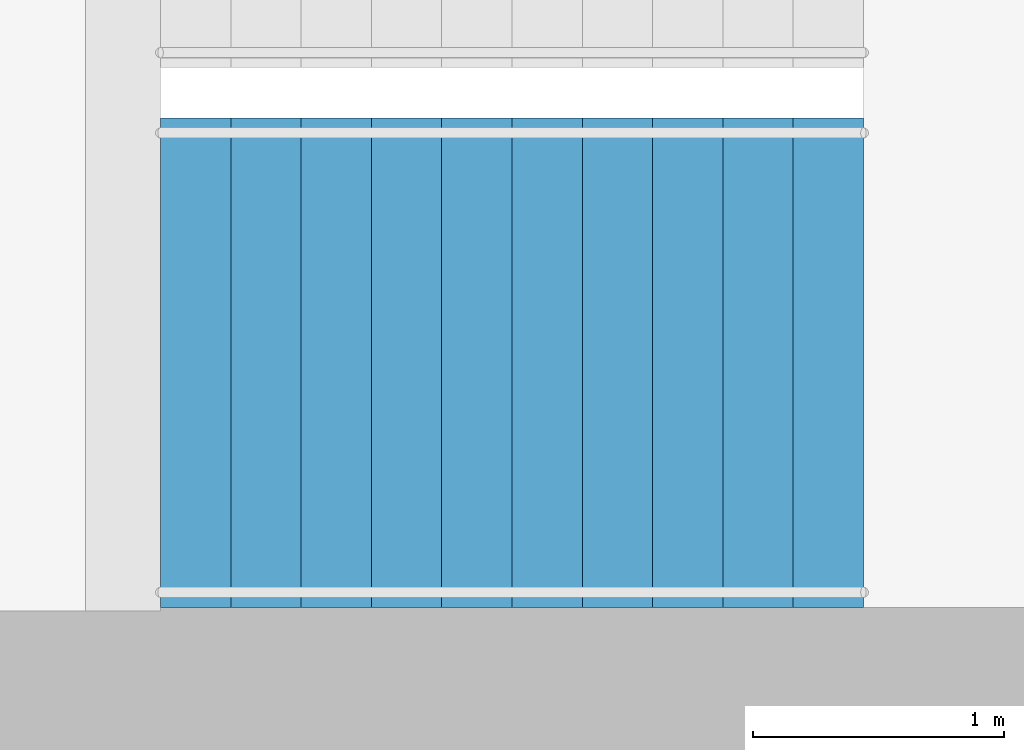
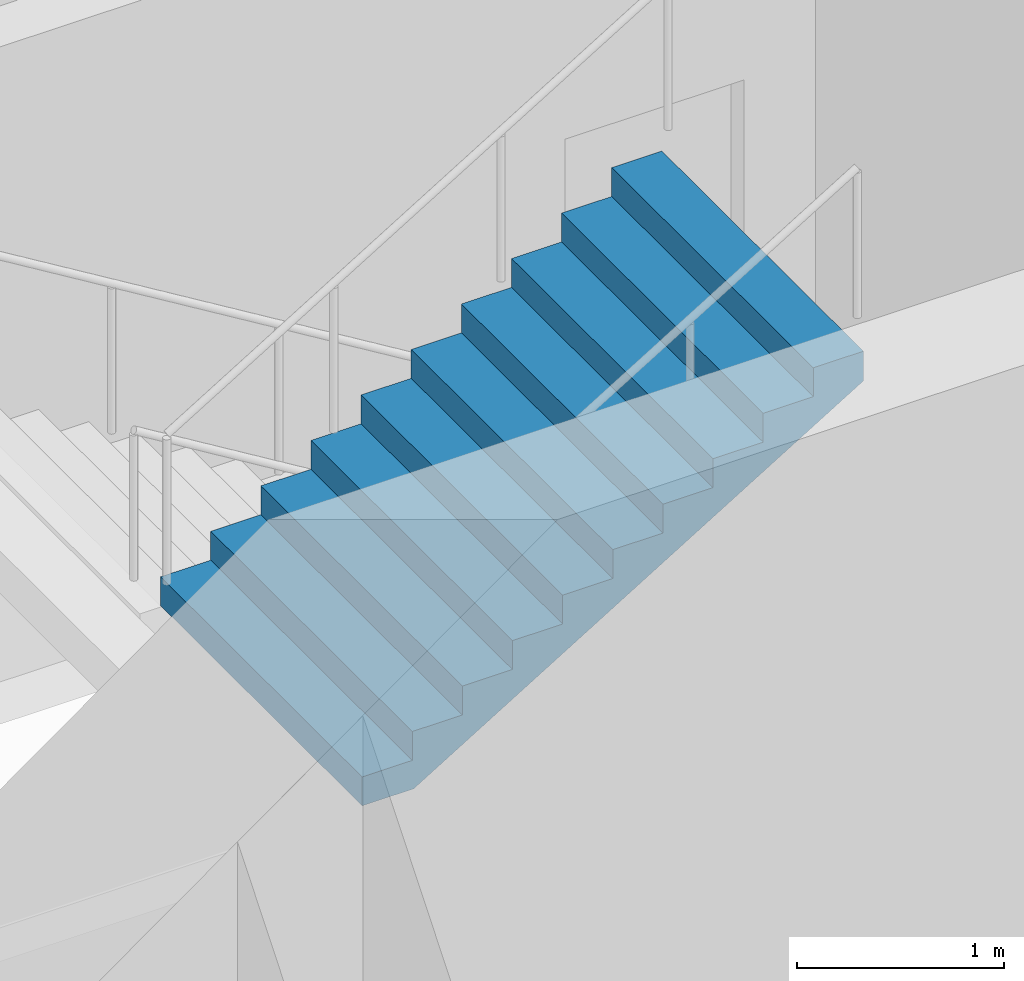
# One storey, part 22 of 24: 1 stair flight, 1 element without a shape of its own.
"""IFC4 building model written with IfcOpenShell, lengths in metres."""

from ifc_helpers import new_model, si_unit, direction, frame, origin, place, context, subcontext, project, spatial, triangles, material, type_object, element, aggregate, save


model = new_model("IFC4")

# Units and contexts
model_context = context("Model", 3, precision=1e-05, world=origin(), true_north=direction((0.0, 1.0)))
body_context = subcontext(model_context, "Body", "Model", "MODEL_VIEW")
ifc_project = project(units=[si_unit("LENGTHUNIT", "METRE"), si_unit("AREAUNIT", "SQUARE_METRE"), si_unit("VOLUMEUNIT", "CUBIC_METRE"), si_unit("PLANEANGLEUNIT", "RADIAN"), si_unit("MASSUNIT", "GRAM", prefix="KILO")], contexts=[model_context])

# Site, building, storey
site_placement = place(None, origin())
site = spatial("IfcSite", under=ifc_project, at=site_placement, CompositionType="ELEMENT")
building_placement = place(site_placement, origin())
building = spatial("IfcBuilding", under=site, at=building_placement, Name="Orbita Commons", CompositionType="ELEMENT")
storey_placement = place(building_placement, frame((0.0, 0.0, 235.300048828125)))
storey = spatial("IfcBuildingStorey", under=building, at=storey_placement, Name="L58", CompositionType="ELEMENT", Elevation=235.300048828125)

# Stair, stair flight
ifc_material_1 = material(Name="Precast concrete C40/50", Category="concrete")
stair_type = type_object("IfcStairType", Name="Exit stair S2 2 flights 11 risers 170", PredefinedType="HALF_TURN_STAIR", material=ifc_material_1)
stair_placement = place(storey_placement, origin())
stair = element("IfcStair", 1, at=stair_placement, inside=storey, type_object=stair_type, Name="Exit stair S2 L58", PredefinedType="HALF_TURN_STAIR")
ifc_material_2 = material(Name="Precast concrete C40/50", Category="concrete")
stair_flight_type = type_object("IfcStairFlightType", Name="Stair flight 11 risers 170 x 280", PredefinedType="STRAIGHT", material=ifc_material_2)
stair_flight_placement = place(storey_placement, frame((60.75, 27.125, 1.875), z_axis=(0.0, 0.0, 1.0), x_axis=(1.0, 0.0, 0.0)))
stair_flight = element("IfcStairFlight", 2, at=stair_flight_placement, type_object=stair_flight_type, Name="S2 flight 2", NumberOfRisers=11, NumberOfTreads=10, PredefinedType="STRAIGHT", RiserHeight=0.170454545, TreadLength=0.28, context=body_context, shape_type="Tessellation", body=[
    triangles([(0.0, 0.974976, 0.0), (0.0, 0.974976, 0.021307), (0.0, 0.81248, 0.021307), (0.0, 0.81248, 0.0), (0.0, 0.649984, 0.021307), (0.0, 0.649984, 0.0), (0.0, 0.487488, 0.021307), (0.0, 0.487488, 0.0), (0.0, 0.324992, 0.021307), (0.0, 0.324992, 0.0), (0.0, 0.162496, 0.021307), (0.0, 0.162496, 0.0), (0.0, 0.0, 0.021307), (0.0, 0.0, 0.0), (0.0, -0.162496, 0.021307), (0.0, -0.162496, 0.0), (0.0, -0.324992, 0.021307), (0.0, -0.324992, 0.0), (0.0, -0.487488, 0.021307), (0.0, -0.487488, 0.0), (0.0, -0.649984, 0.021307), (0.0, -0.649984, 0.0), (0.0, -0.81248, 0.021307), (0.0, -0.81248, 0.0), (0.0, -0.974976, 0.021307), (0.0, -0.974976, 0.0), (0.0, 0.974976, 0.042614), (0.0, 0.81248, 0.042614), (0.0, 0.649984, 0.042614), (0.0, 0.487488, 0.042614), (0.0, 0.324992, 0.042614), (0.0, 0.162496, 0.042614), (0.0, 0.0, 0.042614), (0.0, -0.162496, 0.042614), (0.0, -0.324992, 0.042614), (0.0, -0.487488, 0.042614), (0.0, -0.649984, 0.042614), (0.0, -0.81248, 0.042614), (0.0, -0.974976, 0.042614), (0.0, 0.974976, 0.06392), (0.0, 0.81248, 0.06392), (0.0, 0.649984, 0.06392), (0.0, 0.487488, 0.06392), (0.0, 0.324992, 0.06392), (0.0, 0.162496, 0.06392), (0.0, 0.0, 0.06392), (0.0, -0.162496, 0.06392), (0.0, -0.324992, 0.06392), (0.0, -0.487488, 0.06392), (0.0, -0.649984, 0.06392), (0.0, -0.81248, 0.06392), (0.0, -0.974976, 0.06392), (0.0, 0.974976, 0.085227), (0.0, 0.81248, 0.085227), (0.0, 0.649984, 0.085227), (0.0, 0.487488, 0.085227), (0.0, 0.324992, 0.085227), (0.0, 0.162496, 0.085227), (0.0, 0.0, 0.085227), (0.0, -0.162496, 0.085227), (0.0, -0.324992, 0.085227), (0.0, -0.487488, 0.085227), (0.0, -0.649984, 0.085227), (0.0, -0.81248, 0.085227), (0.0, -0.974976, 0.085227), (0.0, 0.974976, 0.106534), (0.0, 0.81248, 0.106534), (0.0, 0.649984, 0.106534), (0.0, 0.487488, 0.106534), (0.0, 0.324992, 0.106534), (0.0, 0.162496, 0.106534), (0.0, 0.0, 0.106534), (0.0, -0.162496, 0.106534), (0.0, -0.324992, 0.106534), (0.0, -0.487488, 0.106534), (0.0, -0.649984, 0.106534), (0.0, -0.81248, 0.106534), (0.0, -0.974976, 0.106534), (0.0, 0.974976, 0.127841), (0.0, 0.81248, 0.127841), (0.0, 0.649984, 0.127841), (0.0, 0.487488, 0.127841), (0.0, 0.324992, 0.127841), (0.0, 0.162496, 0.127841), (0.0, 0.0, 0.127841), (0.0, -0.162496, 0.127841), (0.0, -0.324992, 0.127841), (0.0, -0.487488, 0.127841), (0.0, -0.649984, 0.127841), (0.0, -0.81248, 0.127841), (0.0, -0.974976, 0.127841), (0.0, 0.974976, 0.149148), (0.0, 0.81248, 0.149148), (0.0, 0.649984, 0.149148), (0.0, 0.487488, 0.149148), (0.0, 0.324992, 0.149148), (0.0, 0.162496, 0.149148), (0.0, 0.0, 0.149148), (0.0, -0.162496, 0.149148), (0.0, -0.324992, 0.149148), (0.0, -0.487488, 0.149148), (0.0, -0.649984, 0.149148), (0.0, -0.81248, 0.149148), (0.0, -0.974976, 0.149148), (0.0, 0.974976, 0.170455), (0.0, 0.81248, 0.170455), (0.0, 0.649984, 0.170455), (0.0, 0.487488, 0.170455), (0.0, 0.324992, 0.170455), (0.0, 0.162496, 0.170455), (0.0, 0.0, 0.170455), (0.0, -0.162496, 0.170455), (0.0, -0.324992, 0.170455), (0.0, -0.487488, 0.170455), (0.0, -0.649984, 0.170455), (0.0, -0.81248, 0.170455), (0.0, -0.974976, 0.170455), (0.28, 0.974976, 0.170455), (0.28, 0.81248, 0.170455), (0.28, 0.649984, 0.170455), (0.28, 0.487488, 0.170455), (0.28, 0.324992, 0.170455), (0.28, 0.162496, 0.170455), (0.28, 0.0, 0.170455), (0.28, -0.162496, 0.170455), (0.28, -0.324992, 0.170455), (0.28, -0.487488, 0.170455), (0.28, -0.649984, 0.170455), (0.28, -0.81248, 0.170455), (0.28, -0.974976, 0.170455), (0.28, 0.974976, 0.340909), (0.28, 0.81248, 0.340909), (0.28, 0.649984, 0.340909), (0.28, 0.487488, 0.340909), (0.28, 0.324992, 0.340909), (0.28, 0.162496, 0.340909), (0.28, 0.0, 0.340909), (0.28, -0.162496, 0.340909), (0.28, -0.324992, 0.340909), (0.28, -0.487488, 0.340909), (0.28, -0.649984, 0.340909), (0.28, -0.81248, 0.340909), (0.28, -0.974976, 0.340909), (0.56, 0.974976, 0.340909), (0.56, 0.81248, 0.340909), (0.56, 0.649984, 0.340909), (0.56, 0.487488, 0.340909), (0.56, 0.324992, 0.340909), (0.56, 0.162496, 0.340909), (0.56, 0.0, 0.340909), (0.56, -0.162496, 0.340909), (0.56, -0.324992, 0.340909), (0.56, -0.487488, 0.340909), (0.56, -0.649984, 0.340909), (0.56, -0.81248, 0.340909), (0.56, -0.974976, 0.340909), (0.56, 0.974976, 0.511364), (0.56, 0.81248, 0.511364), (0.56, 0.649984, 0.511364), (0.56, 0.487488, 0.511364), (0.56, 0.324992, 0.511364), (0.56, 0.162496, 0.511364), (0.56, 0.0, 0.511364), (0.56, -0.162496, 0.511364), (0.56, -0.324992, 0.511364), (0.56, -0.487488, 0.511364), (0.56, -0.649984, 0.511364), (0.56, -0.81248, 0.511364), (0.56, -0.974976, 0.511364), (0.84, 0.974976, 0.511364), (0.84, 0.81248, 0.511364), (0.84, 0.649984, 0.511364), (0.84, 0.487488, 0.511364), (0.84, 0.324992, 0.511364), (0.84, 0.162496, 0.511364), (0.84, 0.0, 0.511364), (0.84, -0.162496, 0.511364), (0.84, -0.324992, 0.511364), (0.84, -0.487488, 0.511364), (0.84, -0.649984, 0.511364), (0.84, -0.81248, 0.511364), (0.84, -0.974976, 0.511364), (0.84, 0.974976, 0.681818), (0.84, 0.81248, 0.681818), (0.84, 0.649984, 0.681818), (0.84, 0.487488, 0.681818), (0.84, 0.324992, 0.681818), (0.84, 0.162496, 0.681818), (0.84, 0.0, 0.681818), (0.84, -0.162496, 0.681818), (0.84, -0.324992, 0.681818), (0.84, -0.487488, 0.681818), (0.84, -0.649984, 0.681818), (0.84, -0.81248, 0.681818), (0.84, -0.974976, 0.681818), (1.12, 0.974976, 0.681818), (1.12, 0.81248, 0.681818), (1.12, 0.649984, 0.681818), (1.12, 0.487488, 0.681818), (1.12, 0.324992, 0.681818), (1.12, 0.162496, 0.681818), (1.12, 0.0, 0.681818), (1.12, -0.162496, 0.681818), (1.12, -0.324992, 0.681818), (1.12, -0.487488, 0.681818), (1.12, -0.649984, 0.681818), (1.12, -0.81248, 0.681818), (1.12, -0.974976, 0.681818), (1.12, 0.974976, 0.852273), (1.12, 0.81248, 0.852273), (1.12, 0.649984, 0.852273), (1.12, 0.487488, 0.852273), (1.12, 0.324992, 0.852273), (1.12, 0.162496, 0.852273), (1.12, 0.0, 0.852273), (1.12, -0.162496, 0.852273), (1.12, -0.324992, 0.852273), (1.12, -0.487488, 0.852273), (1.12, -0.649984, 0.852273), (1.12, -0.81248, 0.852273), (1.12, -0.974976, 0.852273), (1.4, 0.974976, 0.852273), (1.4, 0.81248, 0.852273), (1.4, 0.649984, 0.852273), (1.4, 0.487488, 0.852273), (1.4, 0.324992, 0.852273), (1.4, 0.162496, 0.852273), (1.4, 0.0, 0.852273), (1.4, -0.162496, 0.852273), (1.4, -0.324992, 0.852273), (1.4, -0.487488, 0.852273), (1.4, -0.649984, 0.852273), (1.4, -0.81248, 0.852273), (1.4, -0.974976, 0.852273), (1.4, 0.974976, 1.022727), (1.4, 0.81248, 1.022727), (1.4, 0.649984, 1.022727), (1.4, 0.487488, 1.022727), (1.4, 0.324992, 1.022727), (1.4, 0.162496, 1.022727), (1.4, 0.0, 1.022727), (1.4, -0.162496, 1.022727), (1.4, -0.324992, 1.022727), (1.4, -0.487488, 1.022727), (1.4, -0.649984, 1.022727), (1.4, -0.81248, 1.022727), (1.4, -0.974976, 1.022727), (1.68, 0.974976, 1.022727), (1.68, 0.81248, 1.022727), (1.68, 0.649984, 1.022727), (1.68, 0.487488, 1.022727), (1.68, 0.324992, 1.022727), (1.68, 0.162496, 1.022727), (1.68, 0.0, 1.022727), (1.68, -0.162496, 1.022727), (1.68, -0.324992, 1.022727), (1.68, -0.487488, 1.022727), (1.68, -0.649984, 1.022727), (1.68, -0.81248, 1.022727), (1.68, -0.974976, 1.022727), (1.68, 0.974976, 1.193182), (1.68, 0.81248, 1.193182), (1.68, 0.649984, 1.193182), (1.68, 0.487488, 1.193182), (1.68, 0.324992, 1.193182), (1.68, 0.162496, 1.193182), (1.68, 0.0, 1.193182), (1.68, -0.162496, 1.193182), (1.68, -0.324992, 1.193182), (1.68, -0.487488, 1.193182), (1.68, -0.649984, 1.193182), (1.68, -0.81248, 1.193182), (1.68, -0.974976, 1.193182), (1.96, 0.974976, 1.193182), (1.96, 0.81248, 1.193182), (1.96, 0.649984, 1.193182), (1.96, 0.487488, 1.193182), (1.96, 0.324992, 1.193182), (1.96, 0.162496, 1.193182), (1.96, 0.0, 1.193182), (1.96, -0.162496, 1.193182), (1.96, -0.324992, 1.193182), (1.96, -0.487488, 1.193182), (1.96, -0.649984, 1.193182), (1.96, -0.81248, 1.193182), (1.96, -0.974976, 1.193182), (1.96, 0.974976, 1.363636), (1.96, 0.81248, 1.363636), (1.96, 0.649984, 1.363636), (1.96, 0.487488, 1.363636), (1.96, 0.324992, 1.363636), (1.96, 0.162496, 1.363636), (1.96, 0.0, 1.363636), (1.96, -0.162496, 1.363636), (1.96, -0.324992, 1.363636), (1.96, -0.487488, 1.363636), (1.96, -0.649984, 1.363636), (1.96, -0.81248, 1.363636), (1.96, -0.974976, 1.363636), (2.24, 0.974976, 1.363636), (2.24, 0.81248, 1.363636), (2.24, 0.649984, 1.363636), (2.24, 0.487488, 1.363636), (2.24, 0.324992, 1.363636), (2.24, 0.162496, 1.363636), (2.24, 0.0, 1.363636), (2.24, -0.162496, 1.363636), (2.24, -0.324992, 1.363636), (2.24, -0.487488, 1.363636), (2.24, -0.649984, 1.363636), (2.24, -0.81248, 1.363636), (2.24, -0.974976, 1.363636), (2.24, 0.974976, 1.534091), (2.24, 0.81248, 1.534091), (2.24, 0.649984, 1.534091), (2.24, 0.487488, 1.534091), (2.24, 0.324992, 1.534091), (2.24, 0.162496, 1.534091), (2.24, 0.0, 1.534091), (2.24, -0.162496, 1.534091), (2.24, -0.324992, 1.534091), (2.24, -0.487488, 1.534091), (2.24, -0.649984, 1.534091), (2.24, -0.81248, 1.534091), (2.24, -0.974976, 1.534091), (2.52, 0.974976, 1.534091), (2.52, 0.81248, 1.534091), (2.52, 0.649984, 1.534091), (2.52, 0.487488, 1.534091), (2.52, 0.324992, 1.534091), (2.52, 0.162496, 1.534091), (2.52, 0.0, 1.534091), (2.52, -0.162496, 1.534091), (2.52, -0.324992, 1.534091), (2.52, -0.487488, 1.534091), (2.52, -0.649984, 1.534091), (2.52, -0.81248, 1.534091), (2.52, -0.974976, 1.534091), (2.52, 0.974976, 1.704545), (2.52, 0.81248, 1.704545), (2.52, 0.649984, 1.704545), (2.52, 0.487488, 1.704545), (2.52, 0.324992, 1.704545), (2.52, 0.162496, 1.704545), (2.52, 0.0, 1.704545), (2.52, -0.162496, 1.704545), (2.52, -0.324992, 1.704545), (2.52, -0.487488, 1.704545), (2.52, -0.649984, 1.704545), (2.52, -0.81248, 1.704545), (2.52, -0.974976, 1.704545), (2.8, 0.974976, 1.704545), (2.8, 0.81248, 1.704545), (2.8, 0.649984, 1.704545), (2.8, 0.487488, 1.704545), (2.8, 0.324992, 1.704545), (2.8, 0.162496, 1.704545), (2.8, 0.0, 1.704545), (2.8, -0.162496, 1.704545), (2.8, -0.324992, 1.704545), (2.8, -0.487488, 1.704545), (2.8, -0.649984, 1.704545), (2.8, -0.81248, 1.704545), (2.8, -0.974976, 1.704545), (2.8, 0.974976, 1.682609), (2.8, 0.81248, 1.682609), (2.8, 0.649984, 1.682609), (2.8, 0.487488, 1.682609), (2.8, 0.324992, 1.682609), (2.8, 0.162496, 1.682609), (2.8, 0.0, 1.682609), (2.8, -0.162496, 1.682609), (2.8, -0.324992, 1.682609), (2.8, -0.487488, 1.682609), (2.8, -0.649984, 1.682609), (2.8, -0.81248, 1.682609), (2.8, -0.974976, 1.682609), (2.8, 0.974976, 1.660672), (2.8, 0.81248, 1.660672), (2.8, 0.649984, 1.660672), (2.8, 0.487488, 1.660672), (2.8, 0.324992, 1.660672), (2.8, 0.162496, 1.660672), (2.8, 0.0, 1.660672), (2.8, -0.162496, 1.660672), (2.8, -0.324992, 1.660672), (2.8, -0.487488, 1.660672), (2.8, -0.649984, 1.660672), (2.8, -0.81248, 1.660672), (2.8, -0.974976, 1.660672), (2.8, 0.974976, 1.638735), (2.8, 0.81248, 1.638735), (2.8, 0.649984, 1.638735), (2.8, 0.487488, 1.638735), (2.8, 0.324992, 1.638735), (2.8, 0.162496, 1.638735), (2.8, 0.0, 1.638735), (2.8, -0.162496, 1.638735), (2.8, -0.324992, 1.638735), (2.8, -0.487488, 1.638735), (2.8, -0.649984, 1.638735), (2.8, -0.81248, 1.638735), (2.8, -0.974976, 1.638735), (2.8, 0.974976, 1.616798), (2.8, 0.81248, 1.616798), (2.8, 0.649984, 1.616798), (2.8, 0.487488, 1.616798), (2.8, 0.324992, 1.616798), (2.8, 0.162496, 1.616798), (2.8, 0.0, 1.616798), (2.8, -0.162496, 1.616798), (2.8, -0.324992, 1.616798), (2.8, -0.487488, 1.616798), (2.8, -0.649984, 1.616798), (2.8, -0.81248, 1.616798), (2.8, -0.974976, 1.616798), (2.8, 0.974976, 1.594861), (2.8, 0.81248, 1.594861), (2.8, 0.649984, 1.594861), (2.8, 0.487488, 1.594861), (2.8, 0.324992, 1.594861), (2.8, 0.162496, 1.594861), (2.8, 0.0, 1.594861), (2.8, -0.162496, 1.594861), (2.8, -0.324992, 1.594861), (2.8, -0.487488, 1.594861), (2.8, -0.649984, 1.594861), (2.8, -0.81248, 1.594861), (2.8, -0.974976, 1.594861), (2.8, 0.974976, 1.572925), (2.8, 0.81248, 1.572925), (2.8, 0.649984, 1.572925), (2.8, 0.487488, 1.572925), (2.8, 0.324992, 1.572925), (2.8, 0.162496, 1.572925), (2.8, 0.0, 1.572925), (2.8, -0.162496, 1.572925), (2.8, -0.324992, 1.572925), (2.8, -0.487488, 1.572925), (2.8, -0.649984, 1.572925), (2.8, -0.81248, 1.572925), (2.8, -0.974976, 1.572925), (2.8, 0.974976, 1.550988), (2.8, 0.81248, 1.550988), (2.8, 0.649984, 1.550988), (2.8, 0.487488, 1.550988), (2.8, 0.324992, 1.550988), (2.8, 0.162496, 1.550988), (2.8, 0.0, 1.550988), (2.8, -0.162496, 1.550988), (2.8, -0.324992, 1.550988), (2.8, -0.487488, 1.550988), (2.8, -0.649984, 1.550988), (2.8, -0.81248, 1.550988), (2.8, -0.974976, 1.550988), (2.8, 0.974976, 1.529051), (2.8, 0.81248, 1.529051), (2.8, 0.649984, 1.529051), (2.8, 0.487488, 1.529051), (2.8, 0.324992, 1.529051), (2.8, 0.162496, 1.529051), (2.8, 0.0, 1.529051), (2.8, -0.162496, 1.529051), (2.8, -0.324992, 1.529051), (2.8, -0.487488, 1.529051), (2.8, -0.649984, 1.529051), (2.8, -0.81248, 1.529051), (2.8, -0.974976, 1.529051), (0.288279, 0.974976, 0.0), (0.288279, 0.81248, 0.0), (0.288279, 0.649984, 0.0), (0.288279, 0.487488, 0.0), (0.288279, 0.324992, 0.0), (0.288279, 0.162496, 0.0), (0.288279, 0.0, 0.0), (0.288279, -0.162496, 0.0), (0.288279, -0.324992, 0.0), (0.288279, -0.487488, 0.0), (0.288279, -0.649984, 0.0), (0.288279, -0.81248, 0.0), (0.288279, -0.974976, 0.0)], [[3, 2, 1], [4, 3, 1], [5, 3, 4], [6, 5, 4], [7, 5, 6], [8, 7, 6], [9, 7, 8], [10, 9, 8], [11, 9, 10], [12, 11, 10], [13, 11, 12], [14, 13, 12], [15, 13, 14], [16, 15, 14], [17, 15, 16], [18, 17, 16], [19, 17, 18], [20, 19, 18], [21, 19, 20], [22, 21, 20], [23, 21, 22], [24, 23, 22], [25, 23, 24], [26, 25, 24], [28, 27, 2], [3, 28, 2], [29, 28, 3], [5, 29, 3], [30, 29, 5], [7, 30, 5], [31, 30, 7], [9, 31, 7], [32, 31, 9], [11, 32, 9], [33, 32, 11], [13, 33, 11], [34, 33, 13], [15, 34, 13], [35, 34, 15], [17, 35, 15], [36, 35, 17], [19, 36, 17], [37, 36, 19], [21, 37, 19], [38, 37, 21], [23, 38, 21], [39, 38, 23], [25, 39, 23], [41, 40, 27], [28, 41, 27], [42, 41, 28], [29, 42, 28], [43, 42, 29], [30, 43, 29], [44, 43, 30], [31, 44, 30], [45, 44, 31], [32, 45, 31], [46, 45, 32], [33, 46, 32], [47, 46, 33], [34, 47, 33], [48, 47, 34], [35, 48, 34], [49, 48, 35], [36, 49, 35], [50, 49, 36], [37, 50, 36], [51, 50, 37], [38, 51, 37], [52, 51, 38], [39, 52, 38], [54, 53, 40], [41, 54, 40], [55, 54, 41], [42, 55, 41], [56, 55, 42], [43, 56, 42], [57, 56, 43], [44, 57, 43], [58, 57, 44], [45, 58, 44], [59, 58, 45], [46, 59, 45], [60, 59, 46], [47, 60, 46], [61, 60, 47], [48, 61, 47], [62, 61, 48], [49, 62, 48], [63, 62, 49], [50, 63, 49], [64, 63, 50], [51, 64, 50], [65, 64, 51], [52, 65, 51], [67, 66, 53], [54, 67, 53], [68, 67, 54], [55, 68, 54], [69, 68, 55], [56, 69, 55], [70, 69, 56], [57, 70, 56], [71, 70, 57], [58, 71, 57], [72, 71, 58], [59, 72, 58], [73, 72, 59], [60, 73, 59], [74, 73, 60], [61, 74, 60], [75, 74, 61], [62, 75, 61], [76, 75, 62], [63, 76, 62], [77, 76, 63], [64, 77, 63], [78, 77, 64], [65, 78, 64], [80, 79, 66], [67, 80, 66], [81, 80, 67], [68, 81, 67], [82, 81, 68], [69, 82, 68], [83, 82, 69], [70, 83, 69], [84, 83, 70], [71, 84, 70], [85, 84, 71], [72, 85, 71], [86, 85, 72], [73, 86, 72], [87, 86, 73], [74, 87, 73], [88, 87, 74], [75, 88, 74], [89, 88, 75], [76, 89, 75], [90, 89, 76], [77, 90, 76], [91, 90, 77], [78, 91, 77], [93, 92, 79], [80, 93, 79], [94, 93, 80], [81, 94, 80], [95, 94, 81], [82, 95, 81], [96, 95, 82], [83, 96, 82], [97, 96, 83], [84, 97, 83], [98, 97, 84], [85, 98, 84], [99, 98, 85], [86, 99, 85], [100, 99, 86], [87, 100, 86], [101, 100, 87], [88, 101, 87], [102, 101, 88], [89, 102, 88], [103, 102, 89], [90, 103, 89], [104, 103, 90], [91, 104, 90], [106, 105, 92], [93, 106, 92], [107, 106, 93], [94, 107, 93], [108, 107, 94], [95, 108, 94], [109, 108, 95], [96, 109, 95], [110, 109, 96], [97, 110, 96], [111, 110, 97], [98, 111, 97], [112, 111, 98], [99, 112, 98], [113, 112, 99], [100, 113, 99], [114, 113, 100], [101, 114, 100], [115, 114, 101], [102, 115, 101], [116, 115, 102], [103, 116, 102], [117, 116, 103], [104, 117, 103], [119, 118, 105], [106, 119, 105], [120, 119, 106], [107, 120, 106], [121, 120, 107], [108, 121, 107], [122, 121, 108], [109, 122, 108], [123, 122, 109], [110, 123, 109], [124, 123, 110], [111, 124, 110], [125, 124, 111], [112, 125, 111], [126, 125, 112], [113, 126, 112], [127, 126, 113], [114, 127, 113], [128, 127, 114], [115, 128, 114], [129, 128, 115], [116, 129, 115], [130, 129, 116], [117, 130, 116], [132, 131, 118], [119, 132, 118], [133, 132, 119], [120, 133, 119], [134, 133, 120], [121, 134, 120], [135, 134, 121], [122, 135, 121], [136, 135, 122], [123, 136, 122], [137, 136, 123], [124, 137, 123], [138, 137, 124], [125, 138, 124], [139, 138, 125], [126, 139, 125], [140, 139, 126], [127, 140, 126], [141, 140, 127], [128, 141, 127], [142, 141, 128], [129, 142, 128], [143, 142, 129], [130, 143, 129], [145, 144, 131], [132, 145, 131], [146, 145, 132], [133, 146, 132], [147, 146, 133], [134, 147, 133], [148, 147, 134], [135, 148, 134], [149, 148, 135], [136, 149, 135], [150, 149, 136], [137, 150, 136], [151, 150, 137], [138, 151, 137], [152, 151, 138], [139, 152, 138], [153, 152, 139], [140, 153, 139], [154, 153, 140], [141, 154, 140], [155, 154, 141], [142, 155, 141], [156, 155, 142], [143, 156, 142], [158, 157, 144], [145, 158, 144], [159, 158, 145], [146, 159, 145], [160, 159, 146], [147, 160, 146], [161, 160, 147], [148, 161, 147], [162, 161, 148], [149, 162, 148], [163, 162, 149], [150, 163, 149], [164, 163, 150], [151, 164, 150], [165, 164, 151], [152, 165, 151], [166, 165, 152], [153, 166, 152], [167, 166, 153], [154, 167, 153], [168, 167, 154], [155, 168, 154], [169, 168, 155], [156, 169, 155], [171, 170, 157], [158, 171, 157], [172, 171, 158], [159, 172, 158], [173, 172, 159], [160, 173, 159], [174, 173, 160], [161, 174, 160], [175, 174, 161], [162, 175, 161], [176, 175, 162], [163, 176, 162], [177, 176, 163], [164, 177, 163], [178, 177, 164], [165, 178, 164], [179, 178, 165], [166, 179, 165], [180, 179, 166], [167, 180, 166], [181, 180, 167], [168, 181, 167], [182, 181, 168], [169, 182, 168], [184, 183, 170], [171, 184, 170], [185, 184, 171], [172, 185, 171], [186, 185, 172], [173, 186, 172], [187, 186, 173], [174, 187, 173], [188, 187, 174], [175, 188, 174], [189, 188, 175], [176, 189, 175], [190, 189, 176], [177, 190, 176], [191, 190, 177], [178, 191, 177], [192, 191, 178], [179, 192, 178], [193, 192, 179], [180, 193, 179], [194, 193, 180], [181, 194, 180], [195, 194, 181], [182, 195, 181], [197, 196, 183], [184, 197, 183], [198, 197, 184], [185, 198, 184], [199, 198, 185], [186, 199, 185], [200, 199, 186], [187, 200, 186], [201, 200, 187], [188, 201, 187], [202, 201, 188], [189, 202, 188], [203, 202, 189], [190, 203, 189], [204, 203, 190], [191, 204, 190], [205, 204, 191], [192, 205, 191], [206, 205, 192], [193, 206, 192], [207, 206, 193], [194, 207, 193], [208, 207, 194], [195, 208, 194], [210, 209, 196], [197, 210, 196], [211, 210, 197], [198, 211, 197], [212, 211, 198], [199, 212, 198], [213, 212, 199], [200, 213, 199], [214, 213, 200], [201, 214, 200], [215, 214, 201], [202, 215, 201], [216, 215, 202], [203, 216, 202], [217, 216, 203], [204, 217, 203], [218, 217, 204], [205, 218, 204], [219, 218, 205], [206, 219, 205], [220, 219, 206], [207, 220, 206], [221, 220, 207], [208, 221, 207], [223, 222, 209], [210, 223, 209], [224, 223, 210], [211, 224, 210], [225, 224, 211], [212, 225, 211], [226, 225, 212], [213, 226, 212], [227, 226, 213], [214, 227, 213], [228, 227, 214], [215, 228, 214], [229, 228, 215], [216, 229, 215], [230, 229, 216], [217, 230, 216], [231, 230, 217], [218, 231, 217], [232, 231, 218], [219, 232, 218], [233, 232, 219], [220, 233, 219], [234, 233, 220], [221, 234, 220], [236, 235, 222], [223, 236, 222], [237, 236, 223], [224, 237, 223], [238, 237, 224], [225, 238, 224], [239, 238, 225], [226, 239, 225], [240, 239, 226], [227, 240, 226], [241, 240, 227], [228, 241, 227], [242, 241, 228], [229, 242, 228], [243, 242, 229], [230, 243, 229], [244, 243, 230], [231, 244, 230], [245, 244, 231], [232, 245, 231], [246, 245, 232], [233, 246, 232], [247, 246, 233], [234, 247, 233], [249, 248, 235], [236, 249, 235], [250, 249, 236], [237, 250, 236], [251, 250, 237], [238, 251, 237], [252, 251, 238], [239, 252, 238], [253, 252, 239], [240, 253, 239], [254, 253, 240], [241, 254, 240], [255, 254, 241], [242, 255, 241], [256, 255, 242], [243, 256, 242], [257, 256, 243], [244, 257, 243], [258, 257, 244], [245, 258, 244], [259, 258, 245], [246, 259, 245], [260, 259, 246], [247, 260, 246], [262, 261, 248], [249, 262, 248], [263, 262, 249], [250, 263, 249], [264, 263, 250], [251, 264, 250], [265, 264, 251], [252, 265, 251], [266, 265, 252], [253, 266, 252], [267, 266, 253], [254, 267, 253], [268, 267, 254], [255, 268, 254], [269, 268, 255], [256, 269, 255], [270, 269, 256], [257, 270, 256], [271, 270, 257], [258, 271, 257], [272, 271, 258], [259, 272, 258], [273, 272, 259], [260, 273, 259], [275, 274, 261], [262, 275, 261], [276, 275, 262], [263, 276, 262], [277, 276, 263], [264, 277, 263], [278, 277, 264], [265, 278, 264], [279, 278, 265], [266, 279, 265], [280, 279, 266], [267, 280, 266], [281, 280, 267], [268, 281, 267], [282, 281, 268], [269, 282, 268], [283, 282, 269], [270, 283, 269], [284, 283, 270], [271, 284, 270], [285, 284, 271], [272, 285, 271], [286, 285, 272], [273, 286, 272], [288, 287, 274], [275, 288, 274], [289, 288, 275], [276, 289, 275], [290, 289, 276], [277, 290, 276], [291, 290, 277], [278, 291, 277], [292, 291, 278], [279, 292, 278], [293, 292, 279], [280, 293, 279], [294, 293, 280], [281, 294, 280], [295, 294, 281], [282, 295, 281], [296, 295, 282], [283, 296, 282], [297, 296, 283], [284, 297, 283], [298, 297, 284], [285, 298, 284], [299, 298, 285], [286, 299, 285], [301, 300, 287], [288, 301, 287], [302, 301, 288], [289, 302, 288], [303, 302, 289], [290, 303, 289], [304, 303, 290], [291, 304, 290], [305, 304, 291], [292, 305, 291], [306, 305, 292], [293, 306, 292], [307, 306, 293], [294, 307, 293], [308, 307, 294], [295, 308, 294], [309, 308, 295], [296, 309, 295], [310, 309, 296], [297, 310, 296], [311, 310, 297], [298, 311, 297], [312, 311, 298], [299, 312, 298], [314, 313, 300], [301, 314, 300], [315, 314, 301], [302, 315, 301], [316, 315, 302], [303, 316, 302], [317, 316, 303], [304, 317, 303], [318, 317, 304], [305, 318, 304], [319, 318, 305], [306, 319, 305], [320, 319, 306], [307, 320, 306], [321, 320, 307], [308, 321, 307], [322, 321, 308], [309, 322, 308], [323, 322, 309], [310, 323, 309], [324, 323, 310], [311, 324, 310], [325, 324, 311], [312, 325, 311], [327, 326, 313], [314, 327, 313], [328, 327, 314], [315, 328, 314], [329, 328, 315], [316, 329, 315], [330, 329, 316], [317, 330, 316], [331, 330, 317], [318, 331, 317], [332, 331, 318], [319, 332, 318], [333, 332, 319], [320, 333, 319], [334, 333, 320], [321, 334, 320], [335, 334, 321], [322, 335, 321], [336, 335, 322], [323, 336, 322], [337, 336, 323], [324, 337, 323], [338, 337, 324], [325, 338, 324], [340, 339, 326], [327, 340, 326], [341, 340, 327], [328, 341, 327], [342, 341, 328], [329, 342, 328], [343, 342, 329], [330, 343, 329], [344, 343, 330], [331, 344, 330], [345, 344, 331], [332, 345, 331], [346, 345, 332], [333, 346, 332], [347, 346, 333], [334, 347, 333], [348, 347, 334], [335, 348, 334], [349, 348, 335], [336, 349, 335], [350, 349, 336], [337, 350, 336], [351, 350, 337], [338, 351, 337], [353, 352, 339], [340, 353, 339], [354, 353, 340], [341, 354, 340], [355, 354, 341], [342, 355, 341], [356, 355, 342], [343, 356, 342], [357, 356, 343], [344, 357, 343], [358, 357, 344], [345, 358, 344], [359, 358, 345], [346, 359, 345], [360, 359, 346], [347, 360, 346], [361, 360, 347], [348, 361, 347], [362, 361, 348], [349, 362, 348], [363, 362, 349], [350, 363, 349], [364, 363, 350], [351, 364, 350], [366, 365, 352], [353, 366, 352], [367, 366, 353], [354, 367, 353], [368, 367, 354], [355, 368, 354], [369, 368, 355], [356, 369, 355], [370, 369, 356], [357, 370, 356], [371, 370, 357], [358, 371, 357], [372, 371, 358], [359, 372, 358], [373, 372, 359], [360, 373, 359], [374, 373, 360], [361, 374, 360], [375, 374, 361], [362, 375, 361], [376, 375, 362], [363, 376, 362], [377, 376, 363], [364, 377, 363], [379, 378, 365], [366, 379, 365], [380, 379, 366], [367, 380, 366], [381, 380, 367], [368, 381, 367], [382, 381, 368], [369, 382, 368], [383, 382, 369], [370, 383, 369], [384, 383, 370], [371, 384, 370], [385, 384, 371], [372, 385, 371], [386, 385, 372], [373, 386, 372], [387, 386, 373], [374, 387, 373], [388, 387, 374], [375, 388, 374], [389, 388, 375], [376, 389, 375], [390, 389, 376], [377, 390, 376], [392, 391, 378], [379, 392, 378], [393, 392, 379], [380, 393, 379], [394, 393, 380], [381, 394, 380], [395, 394, 381], [382, 395, 381], [396, 395, 382], [383, 396, 382], [397, 396, 383], [384, 397, 383], [398, 397, 384], [385, 398, 384], [399, 398, 385], [386, 399, 385], [400, 399, 386], [387, 400, 386], [401, 400, 387], [388, 401, 387], [402, 401, 388], [389, 402, 388], [403, 402, 389], [390, 403, 389], [405, 404, 391], [392, 405, 391], [406, 405, 392], [393, 406, 392], [407, 406, 393], [394, 407, 393], [408, 407, 394], [395, 408, 394], [409, 408, 395], [396, 409, 395], [410, 409, 396], [397, 410, 396], [411, 410, 397], [398, 411, 397], [412, 411, 398], [399, 412, 398], [413, 412, 399], [400, 413, 399], [414, 413, 400], [401, 414, 400], [415, 414, 401], [402, 415, 401], [416, 415, 402], [403, 416, 402], [418, 417, 404], [405, 418, 404], [419, 418, 405], [406, 419, 405], [420, 419, 406], [407, 420, 406], [421, 420, 407], [408, 421, 407], [422, 421, 408], [409, 422, 408], [423, 422, 409], [410, 423, 409], [424, 423, 410], [411, 424, 410], [425, 424, 411], [412, 425, 411], [426, 425, 412], [413, 426, 412], [427, 426, 413], [414, 427, 413], [428, 427, 414], [415, 428, 414], [429, 428, 415], [416, 429, 415], [431, 430, 417], [418, 431, 417], [432, 431, 418], [419, 432, 418], [433, 432, 419], [420, 433, 419], [434, 433, 420], [421, 434, 420], [435, 434, 421], [422, 435, 421], [436, 435, 422], [423, 436, 422], [437, 436, 423], [424, 437, 423], [438, 437, 424], [425, 438, 424], [439, 438, 425], [426, 439, 425], [440, 439, 426], [427, 440, 426], [441, 440, 427], [428, 441, 427], [442, 441, 428], [429, 442, 428], [444, 443, 430], [431, 444, 430], [445, 444, 431], [432, 445, 431], [446, 445, 432], [433, 446, 432], [447, 446, 433], [434, 447, 433], [448, 447, 434], [435, 448, 434], [449, 448, 435], [436, 449, 435], [450, 449, 436], [437, 450, 436], [451, 450, 437], [438, 451, 437], [452, 451, 438], [439, 452, 438], [453, 452, 439], [440, 453, 439], [454, 453, 440], [441, 454, 440], [455, 454, 441], [442, 455, 441], [457, 456, 443], [444, 457, 443], [458, 457, 444], [445, 458, 444], [459, 458, 445], [446, 459, 445], [460, 459, 446], [447, 460, 446], [461, 460, 447], [448, 461, 447], [462, 461, 448], [449, 462, 448], [463, 462, 449], [450, 463, 449], [464, 463, 450], [451, 464, 450], [465, 464, 451], [452, 465, 451], [466, 465, 452], [453, 466, 452], [467, 466, 453], [454, 467, 453], [468, 467, 454], [455, 468, 454], [470, 469, 456], [457, 470, 456], [471, 470, 457], [458, 471, 457], [472, 471, 458], [459, 472, 458], [473, 472, 459], [460, 473, 459], [474, 473, 460], [461, 474, 460], [475, 474, 461], [462, 475, 461], [476, 475, 462], [463, 476, 462], [477, 476, 463], [464, 477, 463], [478, 477, 464], [465, 478, 464], [479, 478, 465], [466, 479, 465], [480, 479, 466], [467, 480, 466], [481, 480, 467], [468, 481, 467], [4, 1, 469], [470, 4, 469], [6, 4, 470], [471, 6, 470], [8, 6, 471], [472, 8, 471], [10, 8, 472], [473, 10, 472], [12, 10, 473], [474, 12, 473], [14, 12, 474], [475, 14, 474], [16, 14, 475], [476, 16, 475], [18, 16, 476], [477, 18, 476], [20, 18, 477], [478, 20, 477], [22, 20, 478], [479, 22, 478], [24, 22, 479], [480, 24, 479], [26, 24, 480], [481, 26, 480], [456, 469, 1], [26, 481, 468], [443, 456, 1], [26, 468, 455], [430, 443, 1], [26, 455, 442], [417, 430, 1], [26, 442, 429], [404, 417, 1], [26, 429, 416], [391, 404, 1], [26, 416, 403], [378, 391, 1], [26, 403, 390], [365, 378, 1], [26, 390, 377], [339, 352, 365], [377, 364, 351], [326, 339, 365], [377, 351, 338], [300, 313, 326], [338, 325, 312], [300, 326, 365], [377, 338, 312], [274, 287, 300], [312, 299, 286], [274, 300, 365], [377, 312, 286], [248, 261, 274], [286, 273, 260], [248, 274, 365], [377, 286, 260], [222, 235, 248], [260, 247, 234], [222, 248, 365], [377, 260, 234], [196, 209, 222], [234, 221, 208], [196, 222, 365], [377, 234, 208], [170, 183, 196], [208, 195, 182], [170, 196, 365], [377, 208, 182], [144, 157, 170], [182, 169, 156], [144, 170, 365], [377, 182, 156], [118, 131, 144], [156, 143, 130], [118, 144, 365], [377, 156, 130], [118, 365, 1], [26, 377, 130], [92, 105, 118], [130, 117, 104], [79, 92, 118], [130, 104, 91], [66, 79, 118], [130, 91, 78], [53, 66, 118], [130, 78, 65], [40, 53, 118], [130, 65, 52], [27, 40, 118], [130, 52, 39], [2, 27, 118], [130, 39, 25], [1, 2, 118], [130, 25, 26]], closed=True),
])
aggregate(stair, [stair_flight])

save(model, "model.ifc")
